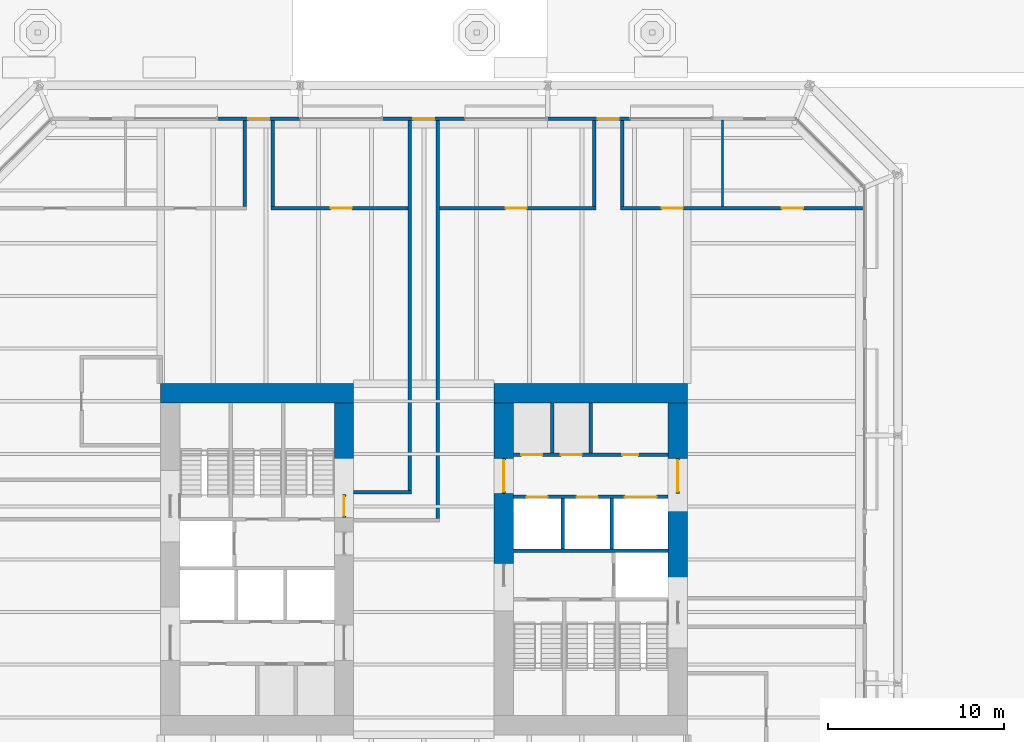
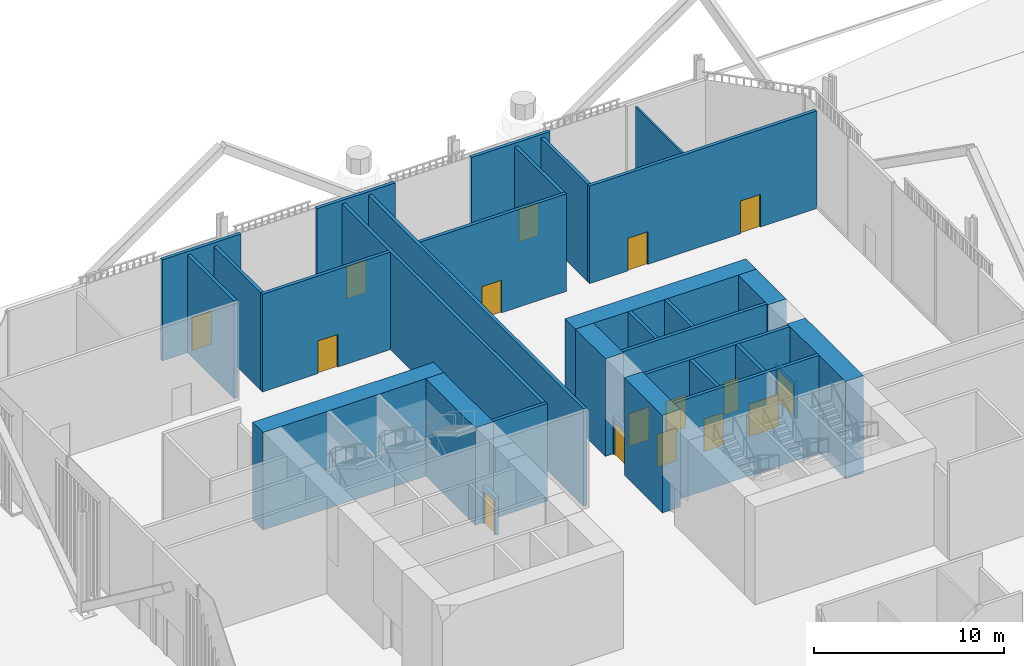
# One storey, part 17 of 28: 31 walls, 16 doors, 16 openings.
"""IFC4 building model written with IfcOpenShell, lengths in metres."""

from ifc_helpers import new_model, si_unit, direction, frame, frame_2d, origin, place, context, subcontext, project, spatial, rectangle, extrude, material, layer, layer_set, type_object, element, fill, save


model = new_model("IFC4")

# Units and contexts
model_context = context("Model", 3, precision=1e-05, world=origin(), true_north=direction((0.0, 1.0)))
body_context = subcontext(model_context, "Body", "Model", "MODEL_VIEW")
ifc_project = project(units=[si_unit("LENGTHUNIT", "METRE"), si_unit("AREAUNIT", "SQUARE_METRE"), si_unit("VOLUMEUNIT", "CUBIC_METRE"), si_unit("PLANEANGLEUNIT", "RADIAN"), si_unit("MASSUNIT", "GRAM", prefix="KILO")], contexts=[model_context])

# Site, building, storey
site_placement = place(None, origin())
site = spatial("IfcSite", under=ifc_project, at=site_placement, CompositionType="ELEMENT")
building_placement = place(site_placement, origin())
building = spatial("IfcBuilding", under=site, at=building_placement, Name="Millrace Tower", CompositionType="ELEMENT")
storey_placement = place(building_placement, origin())
storey = spatial("IfcBuildingStorey", under=building, at=storey_placement, Name="L01", CompositionType="ELEMENT", Elevation=0.0)

# Walls
ifc_material_1 = material(Name="Concrete C80", Category="concrete")
ifc_layer_1 = layer(ifc_material_1, 1.10009765625)
ifc_layer_set_1 = layer_set([ifc_layer_1], Name="Concrete C80")
wall_type_1 = type_object("IfcWallType", Name="Core wall 1100 Concrete C80", PredefinedType="SHEAR", material=ifc_layer_set_1)
wall_1_placement = place(storey_placement, frame((-15.0, 9.449951171875, 0.0), z_axis=(0.0, 0.0, 1.0), x_axis=(1.0, 0.0, 0.0)))
element("IfcWall", 1, at=wall_1_placement, inside=storey, type_object=wall_type_1, Name="Core wall W L01", PredefinedType="SHEAR", context=body_context, shape_type="SweptSolid", body=[
    extrude(rectangle(XDim=11.0, YDim=1.10009765625, at=frame_2d((5.5, 0.0))), origin(), (0.0, 0.0, 1.0), 6.27490234375),
])
wall_2_placement = place(storey_placement, frame((-4.550048828125, 3.679931640625, 0.0), z_axis=(0.0, 0.0, 1.0), x_axis=(0.0, 1.0, 0.0)))
element("IfcWall", 2, at=wall_2_placement, inside=storey, type_object=wall_type_1, Name="Core wall W L01", PredefinedType="SHEAR", context=body_context, shape_type="SweptSolid", body=[
    extrude(rectangle(XDim=5.219970703125, YDim=1.10009765625, at=frame_2d((2.60986328125, 0.0))), origin(), (0.0, 0.0, 1.0), 6.27490234375),
])
wall_3_placement = place(storey_placement, frame((15.0, 9.449951171875, 0.0), z_axis=(0.0, 0.0, 1.0), x_axis=(-1.0, 0.0, 0.0)))
element("IfcWall", 3, at=wall_3_placement, inside=storey, type_object=wall_type_1, Name="Core wall E L01", PredefinedType="SHEAR", context=body_context, shape_type="SweptSolid", body=[
    extrude(rectangle(XDim=11.0, YDim=1.10009765625, at=frame_2d((5.5, 0.0))), origin(), (0.0, 0.0, 1.0), 6.27490234375),
])
wall_4_placement = place(storey_placement, frame((14.449951171875, 8.89990234375, 0.0), z_axis=(0.0, 0.0, 1.0), x_axis=(0.0, -1.0, 0.0)))
element("IfcWall", 4, at=wall_4_placement, inside=storey, type_object=wall_type_1, Name="Core wall E L01", PredefinedType="SHEAR", context=body_context, shape_type="SweptSolid", body=[
    extrude(rectangle(XDim=3.14990234375, YDim=1.10009765625, at=frame_2d((1.574951171875, 0.0))), origin(), (0.0, 0.0, 1.0), 6.27490234375),
])
wall_5_placement = place(storey_placement, frame((14.449951171875, 3.75, 0.0), z_axis=(0.0, 0.0, 1.0), x_axis=(0.0, -1.0, 0.0)))
element("IfcWall", 5, at=wall_5_placement, inside=storey, type_object=wall_type_1, Name="Core wall E L01", PredefinedType="SHEAR", context=body_context, shape_type="SweptSolid", body=[
    extrude(rectangle(XDim=6.1298828125, YDim=1.10009765625, at=frame_2d((3.06494140625, 0.0))), origin(), (0.0, 0.0, 1.0), 6.27490234375),
])
wall_6_placement = place(storey_placement, frame((4.550048828125, 8.89990234375, 0.0), z_axis=(0.0, 0.0, 1.0), x_axis=(0.0, -1.0, 0.0)))
element("IfcWall", 6, at=wall_6_placement, inside=storey, type_object=wall_type_1, Name="Core wall E L01", PredefinedType="SHEAR", context=body_context, shape_type="SweptSolid", body=[
    extrude(rectangle(XDim=3.14990234375, YDim=1.10009765625, at=frame_2d((1.574951171875, 0.0))), origin(), (0.0, 0.0, 1.0), 6.27490234375),
])
wall_7_placement = place(storey_placement, frame((4.550048828125, 3.75, 0.0), z_axis=(0.0, 0.0, 1.0), x_axis=(0.0, -1.0, 0.0)))
element("IfcWall", 7, at=wall_7_placement, inside=storey, type_object=wall_type_1, Name="Core wall E L01", PredefinedType="SHEAR", context=body_context, shape_type="SweptSolid", body=[
    extrude(rectangle(XDim=4.0, YDim=1.10009765625, at=frame_2d((2.0, 0.0))), origin(), (0.0, 0.0, 1.0), 6.27490234375),
])

# Wall, opening, door
ifc_material_2 = material(Name="Masonry partition, fire-rated", Category="masonry")
ifc_layer_2 = layer(ifc_material_2, 0.199951171875)
ifc_layer_set_2 = layer_set([ifc_layer_2], Name="Masonry partition, fire-rated")
wall_type_2 = type_object("IfcWallType", Name="Corridor wall 200", PredefinedType="PARTITIONING", material=ifc_layer_set_2)
wall_8_placement = place(storey_placement, frame((-8.699951171875, 20.0, 0.0), z_axis=(0.0, 0.0, 1.0), x_axis=(1.0, 0.0, 0.0)))
wall_8 = element("IfcWall", 8, at=wall_8_placement, inside=storey, type_object=wall_type_2, Name="Corridor wall L01", PredefinedType="PARTITIONING", context=body_context, shape_type="SweptSolid", body=[
    extrude(rectangle(XDim=7.800048828125, YDim=0.199951171875, at=frame_2d((3.89990234375, 0.0))), origin(), (0.0, 0.0, 1.0), 6.27490234375),
])
opening_1_placement = place(wall_8_placement, frame((3.39990234375, 0.0, 0.0)))
opening_1 = element("IfcOpeningElement", 9, at=opening_1_placement, cuts=wall_8, Name="Opening 01-P005", PredefinedType="OPENING", context=body_context, shape_type="SweptSolid", body=[
    extrude(rectangle(XDim=1.199951171875, YDim=2.10009765625, at=frame_2d((0.60009765625, 1.050048828125))), frame((0.0, 0.10986328125, 0.0), z_axis=(0.0, -1.0, 0.0), x_axis=(1.0, 0.0, 0.0)), (0.0, 0.0, 1.0), 0.219970703125),
])
ifc_material_3 = material(Name="Steel door set, fire-rated", Category="steel")
door_type_1 = type_object("IfcDoorType", Name="Corridor door 1200 x 2100", OperationType="SINGLE_SWING_LEFT", PredefinedType="DOOR", material=ifc_material_3)
door_1_placement = place(opening_1_placement, origin())
door_1 = element("IfcDoor", 10, at=door_1_placement, inside=storey, type_object=door_type_1, Name="Door 01-P005", OperationType="SINGLE_SWING_LEFT", OverallHeight=2.10009765625, OverallWidth=1.199951171875, PredefinedType="DOOR", context=body_context, shape_type="SweptSolid", body=[
    extrude(rectangle(XDim=1.199951171875, YDim=2.10009765625, at=frame_2d((0.60009765625, 1.050048828125))), frame((0.0, 0.02490234375, 0.0), z_axis=(0.0, -1.0, 0.0), x_axis=(1.0, 0.0, 0.0)), (0.0, 0.0, 1.0), 0.050048828125),
])
fill(opening_1, door_1)

wall_9_placement = place(storey_placement, frame((0.89990234375, 20.0, 0.0), z_axis=(0.0, 0.0, 1.0), x_axis=(1.0, 0.0, 0.0)))
wall_9 = element("IfcWall", 11, at=wall_9_placement, inside=storey, type_object=wall_type_2, Name="Corridor wall L01", PredefinedType="PARTITIONING", context=body_context, shape_type="SweptSolid", body=[
    extrude(rectangle(XDim=8.900146484375, YDim=0.199951171875, at=frame_2d((4.4501953125, 0.0))), origin(), (0.0, 0.0, 1.0), 6.27490234375),
])
opening_2_placement = place(wall_9_placement, frame((3.75, 0.0, 0.0)))
opening_2 = element("IfcOpeningElement", 12, at=opening_2_placement, cuts=wall_9, Name="Opening 01-P006", PredefinedType="OPENING", context=body_context, shape_type="SweptSolid", body=[
    extrude(rectangle(XDim=1.199951171875, YDim=2.10009765625, at=frame_2d((0.60009765625, 1.050048828125))), frame((0.0, 0.10986328125, 0.0), z_axis=(0.0, -1.0, 0.0), x_axis=(1.0, 0.0, 0.0)), (0.0, 0.0, 1.0), 0.219970703125),
])
door_2_placement = place(opening_2_placement, origin())
door_2 = element("IfcDoor", 13, at=door_2_placement, inside=storey, type_object=door_type_1, Name="Door 01-P006", OperationType="SINGLE_SWING_RIGHT", OverallHeight=2.10009765625, OverallWidth=1.199951171875, PredefinedType="DOOR", context=body_context, shape_type="SweptSolid", body=[
    extrude(rectangle(XDim=1.199951171875, YDim=2.10009765625, at=frame_2d((0.60009765625, 1.050048828125))), frame((0.0, 0.02490234375, 0.0), z_axis=(0.0, -1.0, 0.0), x_axis=(1.0, 0.0, 0.0)), (0.0, 0.0, 1.0), 0.050048828125),
])
fill(opening_2, door_2)

# Wall, openings, doors
wall_10_placement = place(storey_placement, frame((11.199951171875, 20.0, 0.0), z_axis=(0.0, 0.0, 1.0), x_axis=(1.0, 0.0, 0.0)))
wall_10 = element("IfcWall", 14, at=wall_10_placement, inside=storey, type_object=wall_type_2, Name="Corridor wall L01", PredefinedType="PARTITIONING", context=body_context, shape_type="SweptSolid", body=[
    extrude(rectangle(XDim=13.830078125, YDim=0.199951171875, at=frame_2d((6.9150390625, 0.0))), origin(), (0.0, 0.0, 1.0), 6.27490234375),
])
opening_3_placement = place(wall_10_placement, frame((2.35009765625, 0.0, 0.0)))
opening_3 = element("IfcOpeningElement", 15, at=opening_3_placement, cuts=wall_10, Name="Opening 01-P007", PredefinedType="OPENING", context=body_context, shape_type="SweptSolid", body=[
    extrude(rectangle(XDim=1.199951171875, YDim=2.10009765625, at=frame_2d((0.60009765625, 1.050048828125))), frame((0.0, 0.10986328125, 0.0), z_axis=(0.0, -1.0, 0.0), x_axis=(1.0, 0.0, 0.0)), (0.0, 0.0, 1.0), 0.219970703125),
])
opening_4_placement = place(wall_10_placement, frame((9.18994140625, 0.0, 0.0)))
opening_4 = element("IfcOpeningElement", 16, at=opening_4_placement, cuts=wall_10, Name="Opening 01-P008", PredefinedType="OPENING", context=body_context, shape_type="SweptSolid", body=[
    extrude(rectangle(XDim=1.199951171875, YDim=2.10009765625, at=frame_2d((0.60009765625, 1.050048828125))), frame((0.0, 0.10986328125, 0.0), z_axis=(0.0, -1.0, 0.0), x_axis=(1.0, 0.0, 0.0)), (0.0, 0.0, 1.0), 0.219970703125),
])
door_3_placement = place(opening_3_placement, origin())
door_3 = element("IfcDoor", 17, at=door_3_placement, inside=storey, type_object=door_type_1, Name="Door 01-P007", OperationType="SINGLE_SWING_LEFT", OverallHeight=2.10009765625, OverallWidth=1.199951171875, PredefinedType="DOOR", context=body_context, shape_type="SweptSolid", body=[
    extrude(rectangle(XDim=1.199951171875, YDim=2.10009765625, at=frame_2d((0.60009765625, 1.050048828125))), frame((0.0, 0.02490234375, 0.0), z_axis=(0.0, -1.0, 0.0), x_axis=(1.0, 0.0, 0.0)), (0.0, 0.0, 1.0), 0.050048828125),
])
fill(opening_3, door_3)
door_4_placement = place(opening_4_placement, origin())
door_4 = element("IfcDoor", 18, at=door_4_placement, inside=storey, type_object=door_type_1, Name="Door 01-P008", OperationType="SINGLE_SWING_RIGHT", OverallHeight=2.10009765625, OverallWidth=1.199951171875, PredefinedType="DOOR", context=body_context, shape_type="SweptSolid", body=[
    extrude(rectangle(XDim=1.199951171875, YDim=2.10009765625, at=frame_2d((0.60009765625, 1.050048828125))), frame((0.0, 0.02490234375, 0.0), z_axis=(0.0, -1.0, 0.0), x_axis=(1.0, 0.0, 0.0)), (0.0, 0.0, 1.0), 0.050048828125),
])
fill(opening_4, door_4)

# Walls
for number, where, z_axis, x_axis, name in (
    (19, (11.300048828125, 20.10009765625, 0.0), (0.0, 0.0, 1.0), (0.0, 1.0, 0.0), "Corridor wall L01"),
    (20, (9.699951171875, 20.10009765625, 0.0), (0.0, 0.0, 1.0), (0.0, 1.0, 0.0), "Corridor wall L01"),
    (21, (-8.60009765625, 20.10009765625, 0.0), (0.0, 0.0, 1.0), (0.0, 1.0, 0.0), "Corridor wall L01"),
    (22, (-10.199951171875, 20.10009765625, 0.0), (0.0, 0.0, 1.0), (0.0, 1.0, 0.0), "Corridor wall L01"),
):
    element("IfcWall", number, at=place(storey_placement, frame(where, z_axis=z_axis, x_axis=x_axis)), inside=storey, type_object=wall_type_2, Name=name, PredefinedType="PARTITIONING", context=body_context, shape_type="SweptSolid", body=[
        extrude(rectangle(XDim=4.929931640625, YDim=0.199951171875, at=frame_2d((2.46484375, 0.0))), origin(), (0.0, 0.0, 1.0), 6.27490234375),
    ])

# Wall, opening, door
ifc_material_4 = material(Name="Aluminium framed glazing", Category="aluminium")
ifc_layer_3 = layer(ifc_material_4, 0.199951171875)
ifc_layer_set_3 = layer_set([ifc_layer_3], Name="Aluminium framed glazing")
wall_type_3 = type_object("IfcWallType", Name="Entrance infill wall 200 thick", PredefinedType="STANDARD", material=ifc_layer_set_3)
wall_11_placement = place(storey_placement, frame((11.75, 25.10009765625, 0.0), z_axis=(0.0, 0.0, 1.0), x_axis=(-1.0, 0.0, 0.0)))
wall_11 = element("IfcWall", 23, at=wall_11_placement, inside=storey, type_object=wall_type_3, Name="Entrance infill wall AW1-F04 3", PredefinedType="STANDARD", context=body_context, shape_type="SweptSolid", body=[
    extrude(rectangle(XDim=4.77490234375, YDim=0.199951171875, at=frame_2d((2.387451171875, 0.0))), origin(), (0.0, 0.0, 1.0), 6.5),
])
opening_5_placement = place(wall_11_placement, frame((0.64990234375, 0.0, 0.0)))
opening_5 = element("IfcOpeningElement", 24, at=opening_5_placement, cuts=wall_11, Name="Opening 01-X009", PredefinedType="OPENING", context=body_context, shape_type="SweptSolid", body=[
    extrude(rectangle(XDim=1.199951171875, YDim=2.10009765625, at=frame_2d((0.60009765625, 1.050048828125))), frame((0.0, 0.10986328125, 0.0), z_axis=(0.0, -1.0, 0.0), x_axis=(1.0, 0.0, 0.0)), (0.0, 0.0, 1.0), 0.219970703125),
])
ifc_material_5 = material(Name="Steel", Category="steel")
door_type_2 = type_object("IfcDoorType", Name="Exit door to the plaza", OperationType="SINGLE_SWING_RIGHT", PredefinedType="DOOR", material=ifc_material_5)
door_5_placement = place(opening_5_placement, frame((1.199951171875, 0.0, 0.0), z_axis=(0.0, 0.0, 1.0), x_axis=(-1.0, 0.0, 0.0)))
door_5 = element("IfcDoor", 25, at=door_5_placement, inside=storey, type_object=door_type_2, Name="01-X009", OperationType="SINGLE_SWING_RIGHT", OverallHeight=2.10009765625, OverallWidth=1.199951171875, PredefinedType="DOOR", context=body_context, shape_type="SweptSolid", body=[
    extrude(rectangle(XDim=1.199951171875, YDim=2.10009765625, at=frame_2d((0.60009765625, 1.050048828125))), frame((0.0, 0.02490234375, 0.0), z_axis=(0.0, -1.0, 0.0), x_axis=(1.0, 0.0, 0.0)), (0.0, 0.0, 1.0), 0.050048828125),
])
fill(opening_5, door_5)

wall_12_placement = place(storey_placement, frame((2.35009765625, 25.10009765625, 0.0), z_axis=(0.0, 0.0, 1.0), x_axis=(-1.0, 0.0, 0.0)))
wall_12 = element("IfcWall", 26, at=wall_12_placement, inside=storey, type_object=wall_type_3, Name="Entrance infill wall AW1-F04 5", PredefinedType="STANDARD", context=body_context, shape_type="SweptSolid", body=[
    extrude(rectangle(XDim=4.775146484375, YDim=0.199951171875, at=frame_2d((2.3876953125, 0.0))), origin(), (0.0, 0.0, 1.0), 6.5),
])
opening_6_placement = place(wall_12_placement, frame((1.75, 0.0, 0.0)))
opening_6 = element("IfcOpeningElement", 27, at=opening_6_placement, cuts=wall_12, Name="Opening 01-X010", PredefinedType="OPENING", context=body_context, shape_type="SweptSolid", body=[
    extrude(rectangle(XDim=1.199951171875, YDim=2.10009765625, at=frame_2d((0.60009765625, 1.050048828125))), frame((0.0, 0.10986328125, 0.0), z_axis=(0.0, -1.0, 0.0), x_axis=(1.0, 0.0, 0.0)), (0.0, 0.0, 1.0), 0.219970703125),
])
door_6_placement = place(opening_6_placement, frame((1.199951171875, 0.0, 0.0), z_axis=(0.0, 0.0, 1.0), x_axis=(-1.0, 0.0, 0.0)))
door_6 = element("IfcDoor", 28, at=door_6_placement, inside=storey, type_object=door_type_2, Name="01-X010", OperationType="SINGLE_SWING_RIGHT", OverallHeight=2.10009765625, OverallWidth=1.199951171875, PredefinedType="DOOR", context=body_context, shape_type="SweptSolid", body=[
    extrude(rectangle(XDim=1.199951171875, YDim=2.10009765625, at=frame_2d((0.60009765625, 1.050048828125))), frame((0.0, 0.02490234375, 0.0), z_axis=(0.0, -1.0, 0.0), x_axis=(1.0, 0.0, 0.0)), (0.0, 0.0, 1.0), 0.050048828125),
])
fill(opening_6, door_6)

wall_13_placement = place(storey_placement, frame((-7.050048828125, 25.10009765625, 0.0), z_axis=(0.0, 0.0, 1.0), x_axis=(-1.0, 0.0, 0.0)))
wall_13 = element("IfcWall", 29, at=wall_13_placement, inside=storey, type_object=wall_type_3, Name="Entrance infill wall AW1-F04 7", PredefinedType="STANDARD", context=body_context, shape_type="SweptSolid", body=[
    extrude(rectangle(XDim=4.77490234375, YDim=0.199951171875, at=frame_2d((2.387451171875, 0.0))), origin(), (0.0, 0.0, 1.0), 6.5),
])
opening_7_placement = place(wall_13_placement, frame((1.75, 0.0, 0.0)))
opening_7 = element("IfcOpeningElement", 30, at=opening_7_placement, cuts=wall_13, Name="Opening 01-X011", PredefinedType="OPENING", context=body_context, shape_type="SweptSolid", body=[
    extrude(rectangle(XDim=1.199951171875, YDim=2.10009765625, at=frame_2d((0.60009765625, 1.050048828125))), frame((0.0, 0.10986328125, 0.0), z_axis=(0.0, -1.0, 0.0), x_axis=(1.0, 0.0, 0.0)), (0.0, 0.0, 1.0), 0.219970703125),
])
door_7_placement = place(opening_7_placement, frame((1.199951171875, 0.0, 0.0), z_axis=(0.0, 0.0, 1.0), x_axis=(-1.0, 0.0, 0.0)))
door_7 = element("IfcDoor", 31, at=door_7_placement, inside=storey, type_object=door_type_2, Name="01-X011", OperationType="SINGLE_SWING_RIGHT", OverallHeight=2.10009765625, OverallWidth=1.199951171875, PredefinedType="DOOR", context=body_context, shape_type="SweptSolid", body=[
    extrude(rectangle(XDim=1.199951171875, YDim=2.10009765625, at=frame_2d((0.60009765625, 1.050048828125))), frame((0.0, 0.02490234375, 0.0), z_axis=(0.0, -1.0, 0.0), x_axis=(1.0, 0.0, 0.0)), (0.0, 0.0, 1.0), 0.050048828125),
])
fill(opening_7, door_7)

# Walls
ifc_material_6 = material(Name="Masonry partition, fire-rated", Category="masonry")
ifc_layer_4 = layer(ifc_material_6, 0.199951171875)
ifc_layer_set_4 = layer_set([ifc_layer_4], Name="Masonry partition, fire-rated")
wall_type_4 = type_object("IfcWallType", Name="Exit passage wall 200", PredefinedType="PARTITIONING", material=ifc_layer_set_4)
wall_14_placement = place(storey_placement, frame((-4.0, 3.830078125, 0.0), z_axis=(0.0, 0.0, 1.0), x_axis=(1.0, 0.0, 0.0)))
element("IfcWall", 32, at=wall_14_placement, inside=storey, type_object=wall_type_4, Name="Exit passage wall L01", PredefinedType="PARTITIONING", context=body_context, shape_type="SweptSolid", body=[
    extrude(rectangle(XDim=3.300048828125, YDim=0.199951171875, at=frame_2d((1.64990234375, 0.0))), origin(), (0.0, 0.0, 1.0), 6.27490234375),
])
wall_15_placement = place(storey_placement, frame((0.800048828125, 2.330078125, 0.0), z_axis=(0.0, 0.0, 1.0), x_axis=(0.0, 1.0, 0.0)))
element("IfcWall", 33, at=wall_15_placement, inside=storey, type_object=wall_type_4, Name="Exit passage wall L01", PredefinedType="PARTITIONING", context=body_context, shape_type="SweptSolid", body=[
    extrude(rectangle(XDim=22.699951171875, YDim=0.199951171875, at=frame_2d((11.35009765625, 0.0))), origin(), (0.0, 0.0, 1.0), 6.27490234375),
])
wall_16_placement = place(storey_placement, frame((-0.800048828125, 3.929931640625, 0.0), z_axis=(0.0, 0.0, 1.0), x_axis=(0.0, 1.0, 0.0)))
element("IfcWall", 34, at=wall_16_placement, inside=storey, type_object=wall_type_4, Name="Exit passage wall L01", PredefinedType="PARTITIONING", context=body_context, shape_type="SweptSolid", body=[
    extrude(rectangle(XDim=21.10009765625, YDim=0.199951171875, at=frame_2d((10.550048828125, 0.0))), origin(), (0.0, 0.0, 1.0), 6.27490234375),
])

# Wall, openings, doors
ifc_material_7 = material(Name="Masonry partition, fire-rated", Category="masonry")
ifc_layer_5 = layer(ifc_material_7, 0.199951171875)
ifc_layer_set_5 = layer_set([ifc_layer_5], Name="Masonry partition, fire-rated")
wall_type_5 = type_object("IfcWallType", Name="Lift shaft wall 200", PredefinedType="PARTITIONING", material=ifc_layer_set_5)
wall_17_placement = place(storey_placement, frame((13.89990234375, 5.949951171875, 0.0), z_axis=(0.0, 0.0, 1.0), x_axis=(-1.0, 0.0, 0.0)))
wall_17 = element("IfcWall", 35, at=wall_17_placement, inside=storey, type_object=wall_type_5, Name="Lift shaft wall E L01", PredefinedType="PARTITIONING", context=body_context, shape_type="SweptSolid", body=[
    extrude(rectangle(XDim=8.7998046875, YDim=0.199951171875, at=frame_2d((4.39990234375, 0.0))), origin(), (0.0, 0.0, 1.0), 6.27490234375),
])
opening_8_placement = place(wall_17_placement, frame((4.89990234375, 0.0, 0.0)))
opening_8 = element("IfcOpeningElement", 36, at=opening_8_placement, cuts=wall_17, Name="Opening 01-LD11", PredefinedType="OPENING", context=body_context, shape_type="SweptSolid", body=[
    extrude(rectangle(XDim=1.199951171875, YDim=2.10009765625, at=frame_2d((0.60009765625, 1.050048828125))), frame((0.0, 0.10986328125, 0.0), z_axis=(0.0, -1.0, 0.0), x_axis=(1.0, 0.0, 0.0)), (0.0, 0.0, 1.0), 0.219970703125),
])
opening_9_placement = place(wall_17_placement, frame((7.14990234375, 0.0, 0.0)))
opening_9 = element("IfcOpeningElement", 37, at=opening_9_placement, cuts=wall_17, Name="Opening 01-LD12", PredefinedType="OPENING", context=body_context, shape_type="SweptSolid", body=[
    extrude(rectangle(XDim=1.199951171875, YDim=2.10009765625, at=frame_2d((0.60009765625, 1.050048828125))), frame((0.0, 0.10986328125, 0.0), z_axis=(0.0, -1.0, 0.0), x_axis=(1.0, 0.0, 0.0)), (0.0, 0.0, 1.0), 0.219970703125),
])
opening_10_placement = place(wall_17_placement, frame((1.699951171875, 0.0, 0.0)))
opening_10 = element("IfcOpeningElement", 38, at=opening_10_placement, cuts=wall_17, Name="Opening 01-C013", PredefinedType="OPENING", context=body_context, shape_type="SweptSolid", body=[
    extrude(rectangle(XDim=0.89990234375, YDim=2.10009765625, at=frame_2d((0.449951171875, 1.050048828125))), frame((0.0, 0.10986328125, 0.0), z_axis=(0.0, -1.0, 0.0), x_axis=(1.0, 0.0, 0.0)), (0.0, 0.0, 1.0), 0.219970703125),
])
ifc_material_8 = material(Name="Stainless steel, fire-rated", Category="steel")
door_type_3 = type_object("IfcDoorType", Name="Lift landing door 1200 x 2100", OperationType="DOUBLE_DOOR_SLIDING", PredefinedType="DOOR", material=ifc_material_8)
door_8_placement = place(opening_8_placement, origin())
door_8 = element("IfcDoor", 39, at=door_8_placement, inside=storey, type_object=door_type_3, Name="Lift landing door LF11 L01", OperationType="DOUBLE_DOOR_SLIDING", OverallHeight=2.10009765625, OverallWidth=1.199951171875, PredefinedType="DOOR", context=body_context, shape_type="SweptSolid", body=[
    extrude(rectangle(XDim=1.199951171875, YDim=2.10009765625, at=frame_2d((0.60009765625, 1.050048828125))), frame((0.0, 0.02490234375, 0.0), z_axis=(0.0, -1.0, 0.0), x_axis=(1.0, 0.0, 0.0)), (0.0, 0.0, 1.0), 0.050048828125),
])
fill(opening_8, door_8)
door_9_placement = place(opening_9_placement, origin())
door_9 = element("IfcDoor", 40, at=door_9_placement, inside=storey, type_object=door_type_3, Name="Lift landing door LF12 L01", OperationType="DOUBLE_DOOR_SLIDING", OverallHeight=2.10009765625, OverallWidth=1.199951171875, PredefinedType="DOOR", context=body_context, shape_type="SweptSolid", body=[
    extrude(rectangle(XDim=1.199951171875, YDim=2.10009765625, at=frame_2d((0.60009765625, 1.050048828125))), frame((0.0, 0.02490234375, 0.0), z_axis=(0.0, -1.0, 0.0), x_axis=(1.0, 0.0, 0.0)), (0.0, 0.0, 1.0), 0.050048828125),
])
fill(opening_9, door_9)
ifc_material_9 = material(Name="Steel door, fire-rated", Category="steel")
door_type_4 = type_object("IfcDoorType", Name="Service room door 900 x 2100", OperationType="SINGLE_SWING_LEFT", PredefinedType="DOOR", material=ifc_material_9)
door_10_placement = place(opening_10_placement, frame((0.89990234375, 0.0, 0.0), z_axis=(0.0, 0.0, 1.0), x_axis=(-1.0, 0.0, 0.0)))
door_10 = element("IfcDoor", 41, at=door_10_placement, inside=storey, type_object=door_type_4, Name="Service room door 01-C013", OperationType="SINGLE_SWING_RIGHT", OverallHeight=2.10009765625, OverallWidth=0.89990234375, PredefinedType="DOOR", context=body_context, shape_type="SweptSolid", body=[
    extrude(rectangle(XDim=0.89990234375, YDim=2.10009765625, at=frame_2d((0.449951171875, 1.050048828125))), frame((0.0, 0.02490234375, 0.0), z_axis=(0.0, -1.0, 0.0), x_axis=(1.0, 0.0, 0.0)), (0.0, 0.0, 1.0), 0.050048828125),
])
fill(opening_10, door_10)

wall_18_placement = place(storey_placement, frame((13.89990234375, 3.550048828125, 0.0), z_axis=(0.0, 0.0, 1.0), x_axis=(-1.0, 0.0, 0.0)))
wall_18 = element("IfcWall", 42, at=wall_18_placement, inside=storey, type_object=wall_type_5, Name="Lift shaft wall E L01", PredefinedType="PARTITIONING", context=body_context, shape_type="SweptSolid", body=[
    extrude(rectangle(XDim=8.7998046875, YDim=0.199951171875, at=frame_2d((4.39990234375, 0.0))), origin(), (0.0, 0.0, 1.0), 6.27490234375),
])
opening_11_placement = place(wall_18_placement, frame((0.64990234375, 0.0, 0.0)))
opening_11 = element("IfcOpeningElement", 43, at=opening_11_placement, cuts=wall_18, Name="Opening 01-LD13", PredefinedType="OPENING", context=body_context, shape_type="SweptSolid", body=[
    extrude(rectangle(XDim=1.800048828125, YDim=2.10009765625, at=frame_2d((0.89990234375, 1.050048828125))), frame((0.0, 0.10986328125, 0.0), z_axis=(0.0, -1.0, 0.0), x_axis=(1.0, 0.0, 0.0)), (0.0, 0.0, 1.0), 0.219970703125),
])
opening_12_placement = place(wall_18_placement, frame((4.0, 0.0, 0.0)))
opening_12 = element("IfcOpeningElement", 44, at=opening_12_placement, cuts=wall_18, Name="Opening 01-LD14", PredefinedType="OPENING", context=body_context, shape_type="SweptSolid", body=[
    extrude(rectangle(XDim=1.199951171875, YDim=2.10009765625, at=frame_2d((0.60009765625, 1.050048828125))), frame((0.0, 0.10986328125, 0.0), z_axis=(0.0, -1.0, 0.0), x_axis=(1.0, 0.0, 0.0)), (0.0, 0.0, 1.0), 0.219970703125),
])
opening_13_placement = place(wall_18_placement, frame((6.85009765625, 0.0, 0.0)))
opening_13 = element("IfcOpeningElement", 45, at=opening_13_placement, cuts=wall_18, Name="Opening 01-LD15", PredefinedType="OPENING", context=body_context, shape_type="SweptSolid", body=[
    extrude(rectangle(XDim=1.199951171875, YDim=2.10009765625, at=frame_2d((0.60009765625, 1.050048828125))), frame((0.0, 0.10986328125, 0.0), z_axis=(0.0, -1.0, 0.0), x_axis=(1.0, 0.0, 0.0)), (0.0, 0.0, 1.0), 0.219970703125),
])
door_11_placement = place(opening_12_placement, origin())
door_11 = element("IfcDoor", 46, at=door_11_placement, inside=storey, type_object=door_type_3, Name="Lift landing door LF14 L01", OperationType="DOUBLE_DOOR_SLIDING", OverallHeight=2.10009765625, OverallWidth=1.199951171875, PredefinedType="DOOR", context=body_context, shape_type="SweptSolid", body=[
    extrude(rectangle(XDim=1.199951171875, YDim=2.10009765625, at=frame_2d((0.60009765625, 1.050048828125))), frame((0.0, 0.02490234375, 0.0), z_axis=(0.0, -1.0, 0.0), x_axis=(1.0, 0.0, 0.0)), (0.0, 0.0, 1.0), 0.050048828125),
])
fill(opening_12, door_11)
door_12_placement = place(opening_13_placement, origin())
door_12 = element("IfcDoor", 47, at=door_12_placement, inside=storey, type_object=door_type_3, Name="Lift landing door LF15 L01", OperationType="DOUBLE_DOOR_SLIDING", OverallHeight=2.10009765625, OverallWidth=1.199951171875, PredefinedType="DOOR", context=body_context, shape_type="SweptSolid", body=[
    extrude(rectangle(XDim=1.199951171875, YDim=2.10009765625, at=frame_2d((0.60009765625, 1.050048828125))), frame((0.0, 0.02490234375, 0.0), z_axis=(0.0, -1.0, 0.0), x_axis=(1.0, 0.0, 0.0)), (0.0, 0.0, 1.0), 0.050048828125),
])
fill(opening_13, door_12)
ifc_material_10 = material(Name="Stainless steel, fire-rated", Category="steel")
door_type_5 = type_object("IfcDoorType", Name="Lift landing door 1800 x 2100", OperationType="DOUBLE_DOOR_SLIDING", PredefinedType="DOOR", material=ifc_material_10)
door_13_placement = place(opening_11_placement, origin())
door_13 = element("IfcDoor", 48, at=door_13_placement, inside=storey, type_object=door_type_5, Name="Lift landing door LF13 L01", OperationType="DOUBLE_DOOR_SLIDING", OverallHeight=2.10009765625, OverallWidth=1.800048828125, PredefinedType="DOOR", context=body_context, shape_type="SweptSolid", body=[
    extrude(rectangle(XDim=1.800048828125, YDim=2.10009765625, at=frame_2d((0.89990234375, 1.050048828125))), frame((0.0, 0.02490234375, 0.0), z_axis=(0.0, -1.0, 0.0), x_axis=(1.0, 0.0, 0.0)), (0.0, 0.0, 1.0), 0.050048828125),
])
fill(opening_11, door_13)

# Walls
wall_19_placement = place(storey_placement, frame((13.89990234375, 0.5, 0.0), z_axis=(0.0, 0.0, 1.0), x_axis=(-1.0, 0.0, 0.0)))
element("IfcWall", 49, at=wall_19_placement, inside=storey, type_object=wall_type_5, Name="Lift shaft wall E L01", PredefinedType="PARTITIONING", context=body_context, shape_type="SweptSolid", body=[
    extrude(rectangle(XDim=8.7998046875, YDim=0.199951171875, at=frame_2d((4.39990234375, 0.0))), origin(), (0.0, 0.0, 1.0), 6.27490234375),
])
for number, where, z_axis, x_axis, name in (
    (50, (9.5, 8.89990234375, 0.0), (0.0, 0.0, 1.0), (0.0, -1.0, 0.0), "Lift shaft wall E L01"),
    (51, (7.300048828125, 8.89990234375, 0.0), (0.0, 0.0, 1.0), (0.0, -1.0, 0.0), "Lift shaft wall E L01"),
    (52, (10.699951171875, 3.449951171875, 0.0), (0.0, 0.0, 1.0), (0.0, -1.0, 0.0), "Lift shaft wall E L01"),
    (53, (7.89990234375, 3.449951171875, 0.0), (0.0, 0.0, 1.0), (0.0, -1.0, 0.0), "Lift shaft wall E L01"),
):
    element("IfcWall", number, at=place(storey_placement, frame(where, z_axis=z_axis, x_axis=x_axis)), inside=storey, type_object=wall_type_5, Name=name, PredefinedType="PARTITIONING", context=body_context, shape_type="SweptSolid", body=[
        extrude(rectangle(XDim=2.849853515625, YDim=0.199951171875, at=frame_2d((1.4248046875, 0.0))), origin(), (0.0, 0.0, 1.0), 6.27490234375),
    ])

# Wall, opening, door
ifc_material_11 = material(Name="Masonry partition, fire-rated", Category="masonry")
ifc_layer_6 = layer(ifc_material_11, 0.199951171875)
ifc_layer_set_6 = layer_set([ifc_layer_6], Name="Masonry partition, fire-rated")
wall_type_6 = type_object("IfcWallType", Name="Lobby wall 200", PredefinedType="PARTITIONING", material=ifc_layer_set_6)
wall_20_placement = place(storey_placement, frame((14.449951171875, 5.75, 0.0), z_axis=(0.0, 0.0, 1.0), x_axis=(0.0, -1.0, 0.0)))
wall_20 = element("IfcWall", 54, at=wall_20_placement, inside=storey, type_object=wall_type_6, Name="Lobby wall E L01", PredefinedType="PARTITIONING", context=body_context, shape_type="SweptSolid", body=[
    extrude(rectangle(XDim=2.0, YDim=0.199951171875, at=frame_2d((1.0, 0.0))), origin(), (0.0, 0.0, 1.0), 2.39990234375),
])
opening_14_placement = place(wall_20_placement, frame((0.10009765625, 0.0, 0.0)))
opening_14 = element("IfcOpeningElement", 55, at=opening_14_placement, cuts=wall_20, Name="Opening 01-C009", PredefinedType="OPENING", context=body_context, shape_type="SweptSolid", body=[
    extrude(rectangle(XDim=1.800048828125, YDim=2.10009765625, at=frame_2d((0.89990234375, 1.050048828125))), frame((0.0, 0.10986328125, 0.0), z_axis=(0.0, -1.0, 0.0), x_axis=(1.0, 0.0, 0.0)), (0.0, 0.0, 1.0), 0.219970703125),
])
ifc_material_12 = material(Name="Steel door, fire-rated", Category="steel")
door_type_6 = type_object("IfcDoorType", Name="Lobby door 1800 x 2100", OperationType="DOUBLE_DOOR_SINGLE_SWING", PredefinedType="DOOR", material=ifc_material_12)
door_14_placement = place(opening_14_placement, origin())
door_14 = element("IfcDoor", 56, at=door_14_placement, inside=storey, type_object=door_type_6, Name="Lobby door 01-C009", OperationType="DOUBLE_DOOR_SINGLE_SWING", OverallHeight=2.10009765625, OverallWidth=1.800048828125, PredefinedType="DOOR", context=body_context, shape_type="SweptSolid", body=[
    extrude(rectangle(XDim=1.800048828125, YDim=2.10009765625, at=frame_2d((0.89990234375, 1.050048828125))), frame((0.0, 0.02490234375, 0.0), z_axis=(0.0, -1.0, 0.0), x_axis=(1.0, 0.0, 0.0)), (0.0, 0.0, 1.0), 0.050048828125),
])
fill(opening_14, door_14)

wall_21_placement = place(storey_placement, frame((4.550048828125, 5.75, 0.0), z_axis=(0.0, 0.0, 1.0), x_axis=(0.0, -1.0, 0.0)))
wall_21 = element("IfcWall", 57, at=wall_21_placement, inside=storey, type_object=wall_type_6, Name="Lobby wall E L01", PredefinedType="PARTITIONING", context=body_context, shape_type="SweptSolid", body=[
    extrude(rectangle(XDim=2.0, YDim=0.199951171875, at=frame_2d((1.0, 0.0))), origin(), (0.0, 0.0, 1.0), 2.39990234375),
])
opening_15_placement = place(wall_21_placement, frame((0.10009765625, 0.0, 0.0)))
opening_15 = element("IfcOpeningElement", 58, at=opening_15_placement, cuts=wall_21, Name="Opening 01-C011", PredefinedType="OPENING", context=body_context, shape_type="SweptSolid", body=[
    extrude(rectangle(XDim=1.800048828125, YDim=2.10009765625, at=frame_2d((0.89990234375, 1.050048828125))), frame((0.0, 0.10986328125, 0.0), z_axis=(0.0, -1.0, 0.0), x_axis=(1.0, 0.0, 0.0)), (0.0, 0.0, 1.0), 0.219970703125),
])
door_15_placement = place(opening_15_placement, origin())
door_15 = element("IfcDoor", 59, at=door_15_placement, inside=storey, type_object=door_type_6, Name="Lobby door 01-C011", OperationType="DOUBLE_DOOR_SINGLE_SWING", OverallHeight=2.10009765625, OverallWidth=1.800048828125, PredefinedType="DOOR", context=body_context, shape_type="SweptSolid", body=[
    extrude(rectangle(XDim=1.800048828125, YDim=2.10009765625, at=frame_2d((0.89990234375, 1.050048828125))), frame((0.0, 0.02490234375, 0.0), z_axis=(0.0, -1.0, 0.0), x_axis=(1.0, 0.0, 0.0)), (0.0, 0.0, 1.0), 0.050048828125),
])
fill(opening_15, door_15)

# Wall
ifc_material_13 = material(Name="Gypsum board partition")
ifc_layer_7 = layer(ifc_material_13, 0.1201171875)
ifc_layer_set_7 = layer_set([ifc_layer_7], Name="Gypsum board partition")
wall_type_7 = type_object("IfcWallType", Name="Partition wall 120", PredefinedType="PARTITIONING", material=ifc_layer_set_7)
wall_22_placement = place(storey_placement, frame((17.0, 20.10009765625, 0.0), z_axis=(0.0, 0.0, 1.0), x_axis=(0.0, 1.0, 0.0)))
element("IfcWall", 60, at=wall_22_placement, inside=storey, type_object=wall_type_7, Name="Partition wall L01", PredefinedType="PARTITIONING", context=body_context, shape_type="SweptSolid", body=[
    extrude(rectangle(XDim=4.929931640625, YDim=0.1201171875, at=frame_2d((2.46484375, 0.0))), origin(), (0.0, 0.0, 1.0), 6.27490234375),
])

# Wall, opening, door
ifc_material_14 = material(Name="Concrete C40", Category="concrete")
ifc_layer_8 = layer(ifc_material_14, 0.199951171875)
ifc_layer_set_8 = layer_set([ifc_layer_8], Name="Concrete C40")
wall_type_8 = type_object("IfcWallType", Name="Stair enclosure wall 200 Concrete C40", PredefinedType="SHEAR", material=ifc_layer_set_8)
wall_23_placement = place(storey_placement, frame((-4.550048828125, 2.3798828125, 0.0), z_axis=(0.0, 0.0, 1.0), x_axis=(0.0, 1.0, 0.0)))
wall_23 = element("IfcWall", 61, at=wall_23_placement, inside=storey, type_object=wall_type_8, Name="Stair enclosure wall W L01", PredefinedType="SHEAR", context=body_context, shape_type="SweptSolid", body=[
    extrude(rectangle(XDim=1.300048828125, YDim=0.199951171875, at=frame_2d((0.64990234375, 0.0))), origin(), (0.0, 0.0, 1.0), 2.39990234375),
])
opening_16_placement = place(wall_23_placement, frame((0.10009765625, 0.0, 0.0)))
opening_16 = element("IfcOpeningElement", 62, at=opening_16_placement, cuts=wall_23, Name="Opening 01-C005", PredefinedType="OPENING", context=body_context, shape_type="SweptSolid", body=[
    extrude(rectangle(XDim=1.10009765625, YDim=2.10009765625, at=frame_2d((0.550048828125, 1.050048828125))), frame((0.0, 0.10986328125, 0.0), z_axis=(0.0, -1.0, 0.0), x_axis=(1.0, 0.0, 0.0)), (0.0, 0.0, 1.0), 0.219970703125),
])
ifc_material_15 = material(Name="Steel door, fire-rated", Category="steel")
door_type_7 = type_object("IfcDoorType", Name="Stair door 1100 x 2100", OperationType="SINGLE_SWING_LEFT", PredefinedType="DOOR", material=ifc_material_15)
door_16_placement = place(opening_16_placement, frame((1.10009765625, 0.0, 0.0), z_axis=(0.0, 0.0, 1.0), x_axis=(-1.0, 0.0, 0.0)))
door_16 = element("IfcDoor", 63, at=door_16_placement, inside=storey, type_object=door_type_7, Name="Stair door 01-C005", OperationType="SINGLE_SWING_RIGHT", OverallHeight=2.10009765625, OverallWidth=1.10009765625, PredefinedType="DOOR", context=body_context, shape_type="SweptSolid", body=[
    extrude(rectangle(XDim=1.10009765625, YDim=2.10009765625, at=frame_2d((0.550048828125, 1.050048828125))), frame((0.0, 0.02490234375, 0.0), z_axis=(0.0, -1.0, 0.0), x_axis=(1.0, 0.0, 0.0)), (0.0, 0.0, 1.0), 0.050048828125),
])
fill(opening_16, door_16)

save(model, "model.ifc")
